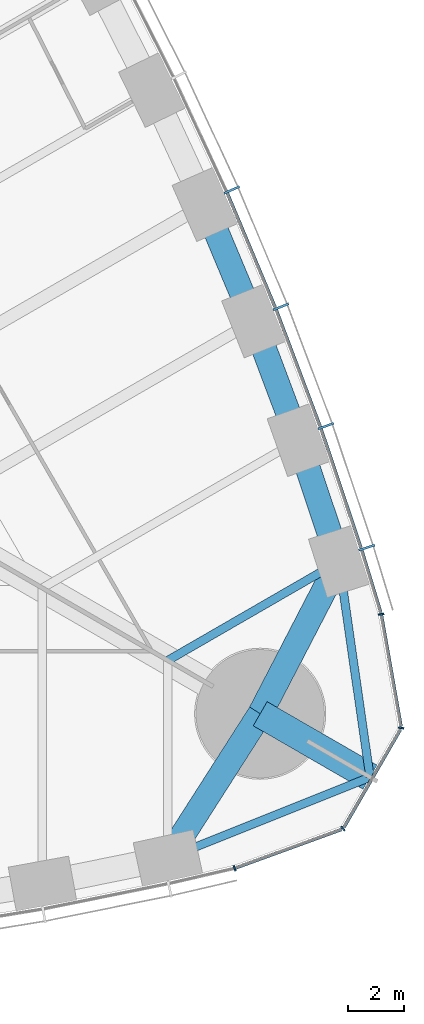
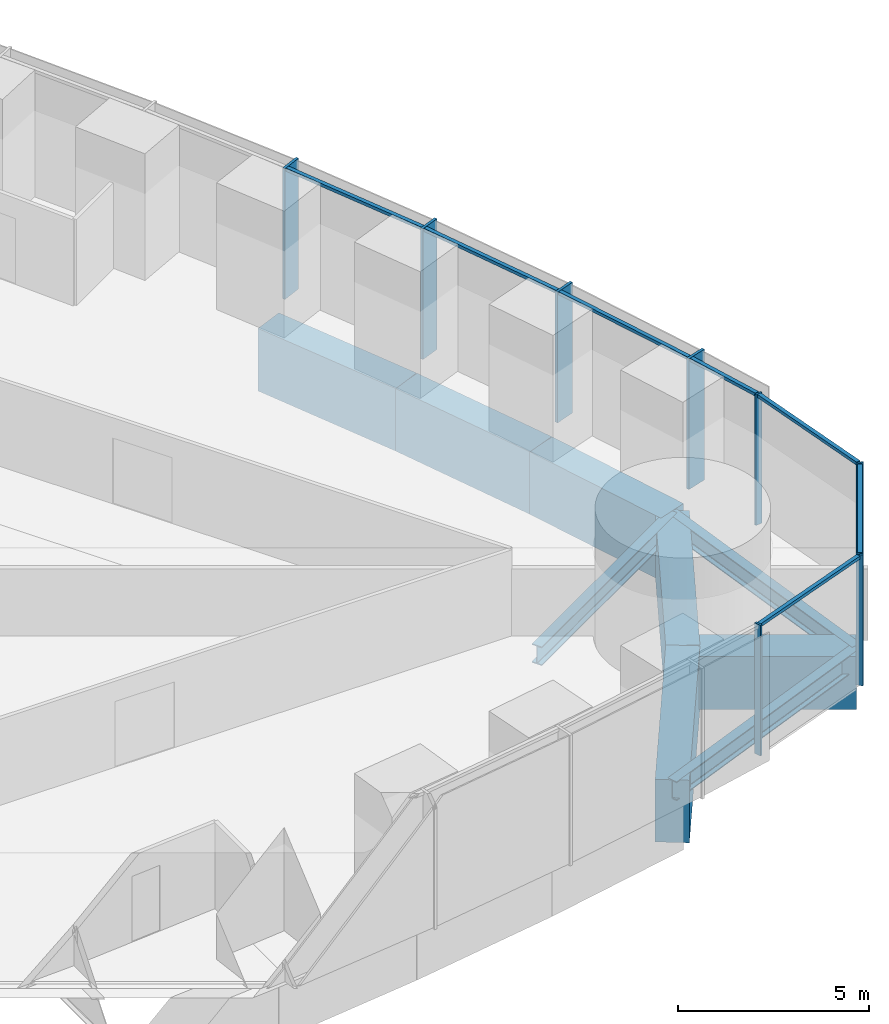
# One storey, part 7 of 18: 15 members, 9 beams, 2 elements without a shape of their own.
"""IFC4 building model written with IfcOpenShell, lengths in metres."""

from ifc_helpers import new_model, si_unit, direction, frame, origin, origin_2d, place, context, subcontext, project, spatial, rectangle, i_section, extrude, material, material_profile, profile_set, type_object, element, aggregate, save


model = new_model("IFC4")

# Units and contexts
model_context = context("Model", 3, precision=1e-05, world=origin(), true_north=direction((0.0, 1.0)))
body_context = subcontext(model_context, "Body", "Model", "MODEL_VIEW")
ifc_project = project(units=[si_unit("LENGTHUNIT", "METRE"), si_unit("AREAUNIT", "SQUARE_METRE"), si_unit("VOLUMEUNIT", "CUBIC_METRE"), si_unit("PLANEANGLEUNIT", "RADIAN"), si_unit("MASSUNIT", "GRAM", prefix="KILO")], contexts=[model_context])

# Site, building, storey
site_placement = place(None, origin())
site = spatial("IfcSite", under=ifc_project, at=site_placement, CompositionType="ELEMENT")
building_placement = place(site_placement, origin())
building = spatial("IfcBuilding", under=site, at=building_placement, Name="Trefoil Bronze Tower", CompositionType="ELEMENT")
storey_placement = place(building_placement, frame((0.0, 0.0, 115.699951171875)))
storey = spatial("IfcBuildingStorey", under=building, at=storey_placement, Name="L26", CompositionType="ELEMENT", Elevation=115.699951171875)

# Curtain wall, members
ifc_material_1 = material(Name="Tinted solar-control glass", Category="glass")
curtain_wall_type_1 = type_object("IfcCurtainWallType", Name="Bronze office curtain wall", PredefinedType="USERDEFINED", material=ifc_material_1)
curtain_wall_1_placement = place(storey_placement, origin())
curtain_wall_1 = element("IfcCurtainWall", 1, at=curtain_wall_1_placement, inside=storey, type_object=curtain_wall_type_1, Name="CW-A L26 F2", ObjectType="CURTAIN WALL", PredefinedType="USERDEFINED")
ifc_material_2 = material(Name="Bronze-finish aluminium", Category="aluminium")
ifc_material_profile_1 = material_profile(ifc_material_2, rectangle(XDim=0.60009765625, YDim=0.080078125, at=origin_2d()), Name="CW-A mullion")
ifc_profile_set_1 = profile_set([ifc_material_profile_1], Name="Bronze-finish aluminium")
member_type_1 = type_object("IfcMemberType", Name="Bronze office curtain wall mullion", PredefinedType="MULLION", material=ifc_profile_set_1)
member_1_placement = place(storey_placement, frame((34.1337890625, -11.543212890625, 0.0), z_axis=(0.0, 0.0, 1.0), x_axis=(-0.952331125357, -0.30506626768, 0.0)))
member_1 = element("IfcMember", 2, at=member_1_placement, type_object=member_type_1, Name="CW-A L26 F2 mullion 2", PredefinedType="MULLION", context=body_context, shape_type="SweptSolid", body=[
    extrude(rectangle(XDim=0.60009765625, YDim=0.080078125, at=origin_2d()), origin(), (0.0, 0.0, 1.0), 4.179931640625),
])
member_2_placement = place(storey_placement, frame((32.668701171875, -7.181884765625, 0.0), z_axis=(0.0, 0.0, 1.0), x_axis=(-0.94196250502, -0.335718094742, 0.0)))
member_2 = element("IfcMember", 3, at=member_2_placement, type_object=member_type_1, Name="CW-A L26 F2 mullion 3", PredefinedType="MULLION", context=body_context, shape_type="SweptSolid", body=[
    extrude(rectangle(XDim=0.60009765625, YDim=0.080078125, at=origin_2d()), origin(), (0.0, 0.0, 1.0), 4.179931640625),
])
member_3_placement = place(storey_placement, frame((31.055419921875, -2.90478515625, 0.0), z_axis=(0.0, 0.0, 1.0), x_axis=(-0.929071242848, -0.369900832269, 0.0)))
member_3 = element("IfcMember", 4, at=member_3_placement, type_object=member_type_1, Name="CW-A L26 F2 mullion 4", PredefinedType="MULLION", context=body_context, shape_type="SweptSolid", body=[
    extrude(rectangle(XDim=0.60009765625, YDim=0.080078125, at=origin_2d()), origin(), (0.0, 0.0, 1.0), 4.179931640625),
])
member_4_placement = place(storey_placement, frame((29.296875, 1.28857421875, 0.0), z_axis=(0.0, 0.0, 1.0), x_axis=(-0.915018269914, -0.40341240155, 0.0)))
member_4 = element("IfcMember", 5, at=member_4_placement, type_object=member_type_1, Name="CW-A L26 F2 mullion 5", PredefinedType="MULLION", context=body_context, shape_type="SweptSolid", body=[
    extrude(rectangle(XDim=0.60009765625, YDim=0.080078125, at=origin_2d()), origin(), (0.0, 0.0, 1.0), 4.179931640625),
])
ifc_material_3 = material(Name="Bronze-finish aluminium", Category="aluminium")
ifc_material_profile_2 = material_profile(ifc_material_3, rectangle(XDim=0.1201171875, YDim=0.10009765625, at=origin_2d()), Name="CW-A transom")
ifc_profile_set_2 = profile_set([ifc_material_profile_2], Name="Bronze-finish aluminium")
member_type_2 = type_object("IfcMemberType", Name="Bronze office curtain wall transom", PredefinedType="USERDEFINED", material=ifc_profile_set_2)
member_5_placement = place(storey_placement, frame((34.637939453125, -13.88232421875, 4.130126953125), z_axis=(-0.291680468798, 0.956515814883, 0.0), x_axis=(-0.956515814883, -0.291680468798, 0.0)))
member_5 = element("IfcMember", 6, at=member_5_placement, type_object=member_type_2, Name="CW-A L26 F2 transom 1", ObjectType="TRANSOM", PredefinedType="USERDEFINED", context=body_context, shape_type="SweptSolid", body=[
    extrude(rectangle(XDim=0.1201171875, YDim=0.10009765625, at=origin_2d()), origin(), (0.0, 0.0, 1.0), 2.34033203125),
])
member_6_placement = place(storey_placement, frame((33.929931640625, -11.56494140625, 4.130126953125), z_axis=(-0.318386323729, 0.947961048178, 0.0), x_axis=(-0.947961048178, -0.318386323729, 0.0)))
member_6 = element("IfcMember", 7, at=member_6_placement, type_object=member_type_2, Name="CW-A L26 F2 transom 2", ObjectType="TRANSOM", PredefinedType="USERDEFINED", context=body_context, shape_type="SweptSolid", body=[
    extrude(rectangle(XDim=0.1201171875, YDim=0.10009765625, at=origin_2d()), origin(), (0.0, 0.0, 1.0), 4.51123046875),
])
member_7_placement = place(storey_placement, frame((32.465576171875, -7.2099609375, 4.130126953125), z_axis=(-0.352932154759, 0.935648916067, 0.0), x_axis=(-0.935648916067, -0.352932154759, 0.0)))
member_7 = element("IfcMember", 8, at=member_7_placement, type_object=member_type_2, Name="CW-A L26 F2 transom 3", ObjectType="TRANSOM", PredefinedType="USERDEFINED", context=body_context, shape_type="SweptSolid", body=[
    extrude(rectangle(XDim=0.1201171875, YDim=0.10009765625, at=origin_2d()), origin(), (0.0, 0.0, 1.0), 4.48046875),
])
member_8_placement = place(storey_placement, frame((30.853515625, -2.940185546875, 4.130126953125), z_axis=(-0.386773266184, 0.922174842731, 0.0), x_axis=(-0.922174842731, -0.386773266184, 0.0)))
member_8 = element("IfcMember", 9, at=member_8_placement, type_object=member_type_2, Name="CW-A L26 F2 transom 4", ObjectType="TRANSOM", PredefinedType="USERDEFINED", context=body_context, shape_type="SweptSolid", body=[
    extrude(rectangle(XDim=0.1201171875, YDim=0.10009765625, at=origin_2d()), origin(), (0.0, 0.0, 1.0), 4.45654296875),
])
aggregate(curtain_wall_1, [member_1, member_2, member_3, member_4, member_5, member_6, member_7, member_8])

ifc_material_4 = material(Name="Tinted solar-control glass", Category="glass")
curtain_wall_type_2 = type_object("IfcCurtainWallType", Name="Bronze rounded corner curtain wall", PredefinedType="USERDEFINED", material=ifc_material_4)
curtain_wall_2_placement = place(storey_placement, origin())
curtain_wall_2 = element("IfcCurtainWall", 10, at=curtain_wall_2_placement, inside=storey, type_object=curtain_wall_type_2, Name="CW-B L26 K1", ObjectType="CURTAIN WALL", PredefinedType="USERDEFINED")
ifc_material_5 = material(Name="Bronze-finish aluminium", Category="aluminium")
ifc_material_profile_3 = material_profile(ifc_material_5, rectangle(XDim=0.199951171875, YDim=0.06005859375, at=origin_2d()), Name="CW-B mullion")
ifc_profile_set_3 = profile_set([ifc_material_profile_3], Name="Bronze-finish aluminium")
member_type_3 = type_object("IfcMemberType", Name="Bronze rounded corner curtain wall mullion", PredefinedType="MULLION", material=ifc_profile_set_3)
member_9_placement = place(storey_placement, frame((29.391845703125, -23.043701171875, 0.0), z_axis=(0.0, 0.0, 1.0), x_axis=(-0.342020143326, 0.939692620786, 0.0)))
member_9 = element("IfcMember", 11, at=member_9_placement, type_object=member_type_3, Name="CW-B L26 K1 mullion 1", PredefinedType="MULLION", context=body_context, shape_type="SweptSolid", body=[
    extrude(rectangle(XDim=0.199951171875, YDim=0.06005859375, at=origin_2d()), origin(), (0.0, 0.0, 1.0), 4.179931640625),
])
member_10_placement = place(storey_placement, frame((33.27880859375, -21.62255859375, 0.0), z_axis=(0.0, 0.0, 1.0), x_axis=(-0.642787609687, 0.766044443119, 0.0)))
member_10 = element("IfcMember", 12, at=member_10_placement, type_object=member_type_3, Name="CW-B L26 K1 mullion 2", PredefinedType="MULLION", context=body_context, shape_type="SweptSolid", body=[
    extrude(rectangle(XDim=0.199951171875, YDim=0.06005859375, at=origin_2d()), origin(), (0.0, 0.0, 1.0), 4.179931640625),
])
member_11_placement = place(storey_placement, frame((35.364990234375, -18.009033203125, 0.0), z_axis=(0.0, 0.0, 1.0), x_axis=(-0.984807753012, 0.173648177667, 0.0)))
member_11 = element("IfcMember", 13, at=member_11_placement, type_object=member_type_3, Name="CW-B L26 K1 mullion 3", PredefinedType="MULLION", context=body_context, shape_type="SweptSolid", body=[
    extrude(rectangle(XDim=0.199951171875, YDim=0.06005859375, at=origin_2d()), origin(), (0.0, 0.0, 1.0), 4.179931640625),
])
member_12_placement = place(storey_placement, frame((34.65234375, -13.932373046875, 0.0), z_axis=(0.0, 0.0, 1.0), x_axis=(-0.984807753012, -0.173648177667, 0.0)))
member_12 = element("IfcMember", 14, at=member_12_placement, type_object=member_type_3, Name="CW-B L26 K1 mullion 4", PredefinedType="MULLION", context=body_context, shape_type="SweptSolid", body=[
    extrude(rectangle(XDim=0.199951171875, YDim=0.06005859375, at=origin_2d()), origin(), (0.0, 0.0, 1.0), 4.179931640625),
])
ifc_material_6 = material(Name="Bronze-finish aluminium", Category="aluminium")
ifc_material_profile_4 = material_profile(ifc_material_6, rectangle(XDim=0.1201171875, YDim=0.10009765625, at=origin_2d()), Name="CW-B transom")
ifc_profile_set_4 = profile_set([ifc_material_profile_4], Name="Bronze-finish aluminium")
member_type_4 = type_object("IfcMemberType", Name="Bronze rounded corner curtain wall transom", PredefinedType="USERDEFINED", material=ifc_profile_set_4)
member_13_placement = place(storey_placement, frame((29.420166015625, -23.033447265625, 4.130126953125), z_axis=(0.939684096629, 0.342043562347, 0.0), x_axis=(-0.342043562347, 0.939684096629, 0.0)))
member_13 = element("IfcMember", 15, at=member_13_placement, type_object=member_type_4, Name="CW-B L26 K1 transom 1", ObjectType="TRANSOM", PredefinedType="USERDEFINED", context=body_context, shape_type="SweptSolid", body=[
    extrude(rectangle(XDim=0.1201171875, YDim=0.10009765625, at=origin_2d()), origin(), (0.0, 0.0, 1.0), 4.044189453125),
])
member_14_placement = place(storey_placement, frame((33.31591796875, -21.570068359375, 4.130126953125), z_axis=(0.500015078168, 0.866016698225, 0.0), x_axis=(-0.866016698225, 0.500015078168, 0.0)))
member_14 = element("IfcMember", 16, at=member_14_placement, type_object=member_type_4, Name="CW-B L26 K1 transom 2", ObjectType="TRANSOM", PredefinedType="USERDEFINED", context=body_context, shape_type="SweptSolid", body=[
    extrude(rectangle(XDim=0.1201171875, YDim=0.10009765625, at=origin_2d()), origin(), (0.0, 0.0, 1.0), 4.04443359375),
])
member_15_placement = place(storey_placement, frame((35.35986328125, -17.944580078125, 4.130126953125), z_axis=(-0.173682016639, 0.984801785689, 0.0), x_axis=(-0.984801785689, -0.173682016639, 0.0)))
member_15 = element("IfcMember", 17, at=member_15_placement, type_object=member_type_4, Name="CW-B L26 K1 transom 3", ObjectType="TRANSOM", PredefinedType="USERDEFINED", context=body_context, shape_type="SweptSolid", body=[
    extrude(rectangle(XDim=0.1201171875, YDim=0.10009765625, at=origin_2d()), origin(), (0.0, 0.0, 1.0), 4.044189453125),
])
aggregate(curtain_wall_2, [member_9, member_10, member_11, member_12, member_13, member_14, member_15])

# Beams
ifc_material_7 = material(Name="Concrete B80", Category="concrete")
ifc_material_profile_5 = material_profile(ifc_material_7, rectangle(XDim=1.0, YDim=1.699951171875, at=origin_2d()), Name="RC 1000x1700")
ifc_profile_set_5 = profile_set([ifc_material_profile_5], Name="Concrete B80")
beam_type_1 = type_object("IfcBeamType", Name="Corner cantilever RC 1000x1700", PredefinedType="BEAM", material=ifc_profile_set_5)
beam_1_placement = place(storey_placement, frame((30.310791015625, -17.5, -1.050048828125), z_axis=(0.866031878637, -0.499988785058, 0.0), x_axis=(0.499988785058, 0.866031878637, 0.0)))
element("IfcBeam", 18, at=beam_1_placement, inside=storey, type_object=beam_type_1, Name="Corner cantilever K1 L26", PredefinedType="BEAM", context=body_context, shape_type="SweptSolid", body=[
    extrude(rectangle(XDim=1.0, YDim=1.699951171875, at=origin_2d()), origin(), (0.0, 0.0, 1.0), 4.54931640625),
])
ifc_material_8 = material(Name="Steel C355", Category="steel")
ifc_material_profile_6 = material_profile(ifc_material_8, i_section(OverallWidth=0.300048828125, OverallDepth=0.60009765625, WebThickness=0.015380859375, FlangeThickness=0.030029296875, FilletRadius=0.027099609375, at=origin_2d()), Name="HEB 600")
ifc_profile_set_6 = profile_set([ifc_material_profile_6], Name="Steel C355")
beam_type_2 = type_object("IfcBeamType", Name="Corner edge beam HEB 600", PredefinedType="BEAM", material=ifc_profile_set_6)
for number, where, z_axis, x_axis, name in (
    (19, (27.0, -22.67724609375, -0.5), (0.928375332495, 0.371643972122, 0.0), (-0.371643972122, 0.928375332495, 0.0), "Corner edge beam F1A L26"),
    (20, (33.13916015625, -12.044189453125, -0.5), (0.142327214588, -0.989819662357, 0.0), (0.989819662357, 0.142327214588, 0.0), "Corner edge beam F2B L26"),
):
    element("IfcBeam", number, at=place(storey_placement, frame(where, z_axis=z_axis, x_axis=x_axis)), inside=storey, type_object=beam_type_2, Name=name, PredefinedType="BEAM", context=body_context, shape_type="SweptSolid", body=[
        extrude(i_section(OverallWidth=0.300048828125, OverallDepth=0.60009765625, WebThickness=0.015380859375, FlangeThickness=0.030029296875, FilletRadius=0.027099609375, at=origin_2d()), origin(), (0.0, 0.0, 1.0), 7.81005859375),
    ])
ifc_material_9 = material(Name="Concrete B80", Category="concrete")
ifc_material_profile_7 = material_profile(ifc_material_9, rectangle(XDim=0.89990234375, YDim=2.0, at=origin_2d()), Name="RC 900x2000")
ifc_profile_set_7 = profile_set([ifc_material_profile_7], Name="Concrete B80")
beam_type_3 = type_object("IfcBeamType", Name="End spandrel beam RC 900x2000", PredefinedType="SPANDREL", material=ifc_profile_set_7)
for number, where, z_axis, x_axis, name in (
    (21, (27.0, -22.67724609375, -1.199951171875), (0.53874814953, 0.84246687257, 0.0), (-0.84246687257, 0.53874814953, 0.0), "Spandrel F1.14 L26"),
    (22, (30.310791015625, -17.5, -1.199951171875), (0.460244107083, 0.887792409235, 0.0), (-0.887792409235, 0.460244107083, 0.0), "Spandrel F2.1 L26"),
):
    element("IfcBeam", number, at=place(storey_placement, frame(where, z_axis=z_axis, x_axis=x_axis)), inside=storey, type_object=beam_type_3, Name=name, PredefinedType="SPANDREL", context=body_context, shape_type="SweptSolid", body=[
        extrude(rectangle(XDim=0.89990234375, YDim=2.0, at=origin_2d()), origin(), (0.0, 0.0, 1.0), 6.145263671875),
    ])
ifc_material_10 = material(Name="Steel C355", Category="steel")
ifc_material_profile_8 = material_profile(ifc_material_10, i_section(OverallWidth=0.300048828125, OverallDepth=0.60009765625, WebThickness=0.015380859375, FlangeThickness=0.030029296875, FilletRadius=0.027099609375, at=origin_2d()), Name="HEB 600")
ifc_profile_set_8 = profile_set([ifc_material_profile_8], Name="Steel C355")
beam_type_4 = type_object("IfcBeamType", Name="Floor beam HEB 600", PredefinedType="BEAM", material=ifc_profile_set_8)
beam_2_placement = place(storey_placement, frame((33.13916015625, -12.044189453125, -0.5), z_axis=(-0.866041060244, -0.499972881236, 0.0), x_axis=(0.499972881236, -0.866041060244, 0.0)))
element("IfcBeam", 23, at=beam_2_placement, inside=storey, type_object=beam_type_4, Name="Floor beam F2/-6 L26", PredefinedType="BEAM", context=body_context, shape_type="SweptSolid", body=[
    extrude(i_section(OverallWidth=0.300048828125, OverallDepth=0.60009765625, WebThickness=0.015380859375, FlangeThickness=0.030029296875, FilletRadius=0.027099609375, at=origin_2d()), origin(), (0.0, 0.0, 1.0), 7.0888671875),
])
ifc_material_11 = material(Name="Concrete B80", Category="concrete")
ifc_material_profile_9 = material_profile(ifc_material_11, rectangle(XDim=0.89990234375, YDim=2.0, at=origin_2d()), Name="RC 900x2000")
ifc_profile_set_9 = profile_set([ifc_material_profile_9], Name="Concrete B80")
beam_type_5 = type_object("IfcBeamType", Name="Spandrel beam RC 900x2000", PredefinedType="SPANDREL", material=ifc_profile_set_9)
beam_3_placement = place(storey_placement, frame((33.13916015625, -12.044189453125, -1.199951171875), z_axis=(-0.31732802068, 0.948315837309, 0.0), x_axis=(-0.948315837309, -0.31732802068, 0.0)))
element("IfcBeam", 24, at=beam_3_placement, inside=storey, type_object=beam_type_5, Name="Spandrel F2.2 L26", PredefinedType="SPANDREL", context=body_context, shape_type="SweptSolid", body=[
    extrude(rectangle(XDim=0.89990234375, YDim=2.0, at=origin_2d()), origin(), (0.0, 0.0, 1.0), 4.59228515625),
])
beam_4_placement = place(storey_placement, frame((31.681884765625, -7.689208984375, -1.199951171875), z_axis=(-0.351938675523, 0.936023059904, 0.0), x_axis=(-0.936023059904, -0.351938675523, 0.0)))
element("IfcBeam", 25, at=beam_4_placement, inside=storey, type_object=beam_type_5, Name="Spandrel F2.3 L26", PredefinedType="SPANDREL", context=body_context, shape_type="SweptSolid", body=[
    extrude(rectangle(XDim=0.89990234375, YDim=2.0, at=origin_2d()), origin(), (0.0, 0.0, 1.0), 4.56103515625),
])
beam_5_placement = place(storey_placement, frame((30.07666015625, -3.419921875, -1.199951171875), z_axis=(-0.386013490858, 0.922493135408, 0.0), x_axis=(-0.922493135408, -0.386013490858, 0.0)))
element("IfcBeam", 26, at=beam_5_placement, inside=storey, type_object=beam_type_5, Name="Spandrel F2.4 L26", PredefinedType="SPANDREL", context=body_context, shape_type="SweptSolid", body=[
    extrude(rectangle(XDim=0.89990234375, YDim=2.0, at=origin_2d()), origin(), (0.0, 0.0, 1.0), 4.53662109375),
])

save(model, "model.ifc")
